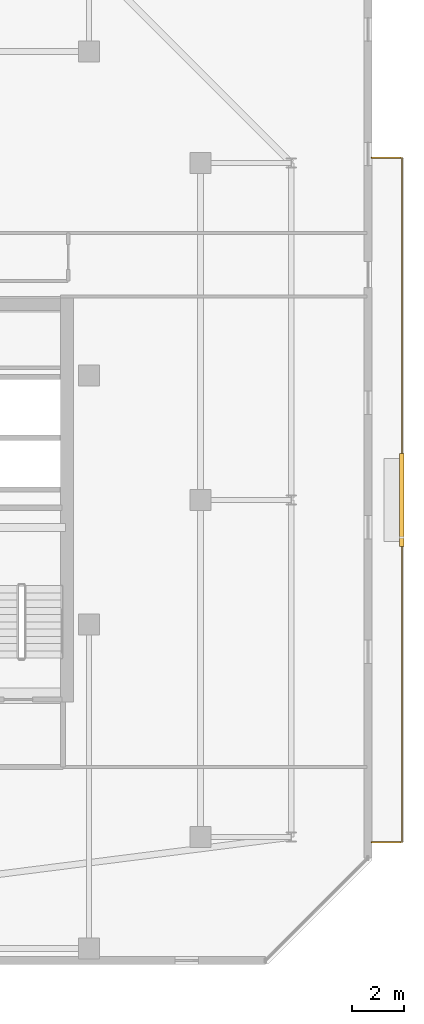
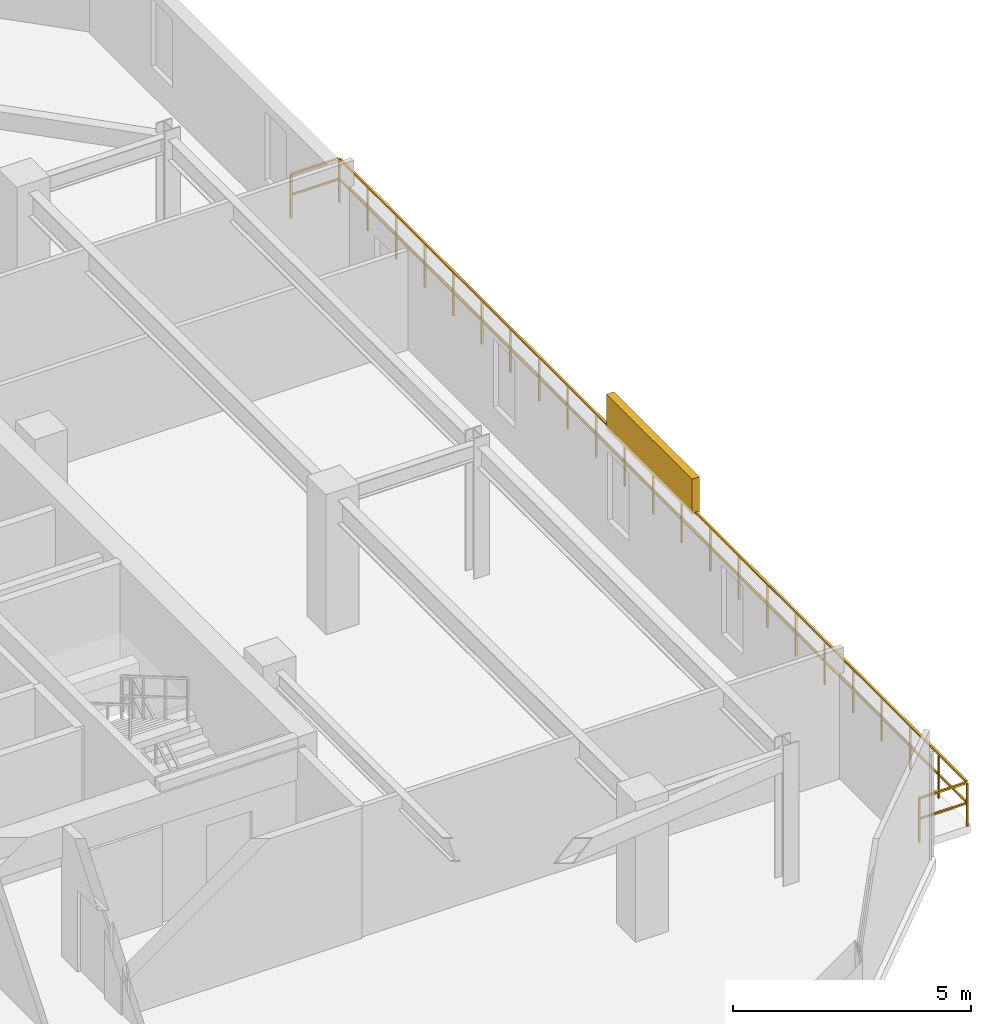
# One storey, part 34 of 34: 1 railing, 1 shading device.
"""IFC4 building model written with IfcOpenShell, lengths in metres."""

from ifc_helpers import new_model, si_unit, direction, frame, origin, origin_2d, place, context, subcontext, project, spatial, rectangle, extrude, material, type_object, element, save


model = new_model("IFC4")

# Units and contexts
model_context = context("Model", 3, precision=1e-05, world=origin(), true_north=direction((0.0, 1.0)))
body_context = subcontext(model_context, "Body", "Model", "MODEL_VIEW")
ifc_project = project(units=[si_unit("LENGTHUNIT", "METRE"), si_unit("AREAUNIT", "SQUARE_METRE"), si_unit("VOLUMEUNIT", "CUBIC_METRE"), si_unit("PLANEANGLEUNIT", "RADIAN"), si_unit("MASSUNIT", "GRAM", prefix="KILO")], contexts=[model_context])

# Site, building, storey
site_placement = place(None, origin())
site = spatial("IfcSite", under=ifc_project, at=site_placement, CompositionType="ELEMENT")
building_placement = place(site_placement, origin())
building = spatial("IfcBuilding", under=site, at=building_placement, Name="Thornwick Lancets Civic Towers", CompositionType="ELEMENT")
storey_placement = place(building_placement, frame((0.0, 0.0, 258.300048828125)))
storey = spatial("IfcBuildingStorey", under=building, at=storey_placement, Name="L69", CompositionType="ELEMENT", Elevation=258.300048828125)

# Railing
ifc_material_1 = material(Name="Terracotta-capped laminated glass balustrade S355", Category="masonry")
railing_type = type_object("IfcRailingType", Name="RAIL_TERR_GUARD", PredefinedType="GUARDRAIL", material=ifc_material_1)
railing_placement = place(storey_placement, frame((112.39990234375, 13.800048828125, 0.0)))
element("IfcRailing", 1, at=railing_placement, inside=storey, type_object=railing_type, Name="L69 Tower B Balcony Guard E", PredefinedType="GUARDRAIL", context=body_context, shape_type="SweptSolid", body=[
    extrude(rectangle(XDim=0.048095703125, YDim=0.048095703125, at=origin_2d()), frame((0.0, 0.0, 1.1259765625), z_axis=(1.0, 0.0, 0.0), x_axis=(0.0, 1.0, 0.0)), (0.0, 0.0, 1.0), 1.138916015625),
    extrude(rectangle(XDim=0.0419921875, YDim=0.0419921875, at=origin_2d()), frame((0.03759765625, 0.0, 0.597900390625), z_axis=(1.0, 0.0, 0.0), x_axis=(0.0, 1.0, 0.0)), (0.0, 0.0, 1.0), 1.09521484375),
    extrude(rectangle(XDim=0.048095703125, YDim=0.048095703125, at=origin_2d()), frame((1.170166015625, 0.03125, 1.1259765625), z_axis=(0.0, 1.0, 0.0), x_axis=(-1.0, 0.0, 0.0)), (0.0, 0.0, 1.0), 26.33740234375),
    extrude(rectangle(XDim=0.0419921875, YDim=0.0419921875, at=origin_2d()), frame((1.170166015625, 0.03759765625, 0.597900390625), z_axis=(0.0, 1.0, 0.0), x_axis=(-1.0, 0.0, 0.0)), (0.0, 0.0, 1.0), 1.125),
    extrude(rectangle(XDim=0.0419921875, YDim=0.0419921875, at=origin_2d()), frame((1.170166015625, 1.237548828125, 0.597900390625), z_axis=(0.0, 1.0, 0.0), x_axis=(-1.0, 0.0, 0.0)), (0.0, 0.0, 1.0), 1.125),
    extrude(rectangle(XDim=0.0419921875, YDim=0.0419921875, at=origin_2d()), frame((1.170166015625, 2.4375, 0.597900390625), z_axis=(0.0, 1.0, 0.0), x_axis=(-1.0, 0.0, 0.0)), (0.0, 0.0, 1.0), 1.125),
    extrude(rectangle(XDim=0.0419921875, YDim=0.0419921875, at=origin_2d()), frame((1.170166015625, 3.637451171875, 0.597900390625), z_axis=(0.0, 1.0, 0.0), x_axis=(-1.0, 0.0, 0.0)), (0.0, 0.0, 1.0), 1.125),
    extrude(rectangle(XDim=0.0419921875, YDim=0.0419921875, at=origin_2d()), frame((1.170166015625, 4.83740234375, 0.597900390625), z_axis=(0.0, 1.0, 0.0), x_axis=(-1.0, 0.0, 0.0)), (0.0, 0.0, 1.0), 1.125),
    extrude(rectangle(XDim=0.0419921875, YDim=0.0419921875, at=origin_2d()), frame((1.170166015625, 6.037353515625, 0.597900390625), z_axis=(0.0, 1.0, 0.0), x_axis=(-1.0, 0.0, 0.0)), (0.0, 0.0, 1.0), 1.125),
    extrude(rectangle(XDim=0.0419921875, YDim=0.0419921875, at=origin_2d()), frame((1.170166015625, 7.237548828125, 0.597900390625), z_axis=(0.0, 1.0, 0.0), x_axis=(-1.0, 0.0, 0.0)), (0.0, 0.0, 1.0), 1.125),
    extrude(rectangle(XDim=0.0419921875, YDim=0.0419921875, at=origin_2d()), frame((1.170166015625, 8.4375, 0.597900390625), z_axis=(0.0, 1.0, 0.0), x_axis=(-1.0, 0.0, 0.0)), (0.0, 0.0, 1.0), 1.125),
    extrude(rectangle(XDim=0.0419921875, YDim=0.0419921875, at=origin_2d()), frame((1.170166015625, 9.637451171875, 0.597900390625), z_axis=(0.0, 1.0, 0.0), x_axis=(-1.0, 0.0, 0.0)), (0.0, 0.0, 1.0), 1.125),
    extrude(rectangle(XDim=0.0419921875, YDim=0.0419921875, at=origin_2d()), frame((1.170166015625, 10.83740234375, 0.597900390625), z_axis=(0.0, 1.0, 0.0), x_axis=(-1.0, 0.0, 0.0)), (0.0, 0.0, 1.0), 1.125),
    extrude(rectangle(XDim=0.0419921875, YDim=0.0419921875, at=origin_2d()), frame((1.170166015625, 12.037353515625, 0.597900390625), z_axis=(0.0, 1.0, 0.0), x_axis=(-1.0, 0.0, 0.0)), (0.0, 0.0, 1.0), 1.125),
    extrude(rectangle(XDim=0.0419921875, YDim=0.0419921875, at=origin_2d()), frame((1.170166015625, 13.237548828125, 0.597900390625), z_axis=(0.0, 1.0, 0.0), x_axis=(-1.0, 0.0, 0.0)), (0.0, 0.0, 1.0), 1.125),
    extrude(rectangle(XDim=0.0419921875, YDim=0.0419921875, at=origin_2d()), frame((1.170166015625, 14.4375, 0.597900390625), z_axis=(0.0, 1.0, 0.0), x_axis=(-1.0, 0.0, 0.0)), (0.0, 0.0, 1.0), 1.125),
    extrude(rectangle(XDim=0.0419921875, YDim=0.0419921875, at=origin_2d()), frame((1.170166015625, 15.637451171875, 0.597900390625), z_axis=(0.0, 1.0, 0.0), x_axis=(-1.0, 0.0, 0.0)), (0.0, 0.0, 1.0), 1.125),
    extrude(rectangle(XDim=0.0419921875, YDim=0.0419921875, at=origin_2d()), frame((1.170166015625, 16.83740234375, 0.597900390625), z_axis=(0.0, 1.0, 0.0), x_axis=(-1.0, 0.0, 0.0)), (0.0, 0.0, 1.0), 1.125),
    extrude(rectangle(XDim=0.0419921875, YDim=0.0419921875, at=origin_2d()), frame((1.170166015625, 18.037353515625, 0.597900390625), z_axis=(0.0, 1.0, 0.0), x_axis=(-1.0, 0.0, 0.0)), (0.0, 0.0, 1.0), 1.125),
    extrude(rectangle(XDim=0.0419921875, YDim=0.0419921875, at=origin_2d()), frame((1.170166015625, 19.2373046875, 0.597900390625), z_axis=(0.0, 1.0, 0.0), x_axis=(-1.0, 0.0, 0.0)), (0.0, 0.0, 1.0), 1.125),
    extrude(rectangle(XDim=0.0419921875, YDim=0.0419921875, at=origin_2d()), frame((1.170166015625, 20.4375, 0.597900390625), z_axis=(0.0, 1.0, 0.0), x_axis=(-1.0, 0.0, 0.0)), (0.0, 0.0, 1.0), 1.125),
    extrude(rectangle(XDim=0.0419921875, YDim=0.0419921875, at=origin_2d()), frame((1.170166015625, 21.637451171875, 0.597900390625), z_axis=(0.0, 1.0, 0.0), x_axis=(-1.0, 0.0, 0.0)), (0.0, 0.0, 1.0), 1.125),
    extrude(rectangle(XDim=0.0419921875, YDim=0.0419921875, at=origin_2d()), frame((1.170166015625, 22.83740234375, 0.597900390625), z_axis=(0.0, 1.0, 0.0), x_axis=(-1.0, 0.0, 0.0)), (0.0, 0.0, 1.0), 1.125),
    extrude(rectangle(XDim=0.0419921875, YDim=0.0419921875, at=origin_2d()), frame((1.170166015625, 24.037353515625, 0.597900390625), z_axis=(0.0, 1.0, 0.0), x_axis=(-1.0, 0.0, 0.0)), (0.0, 0.0, 1.0), 1.125),
    extrude(rectangle(XDim=0.0419921875, YDim=0.0419921875, at=origin_2d()), frame((1.170166015625, 25.2373046875, 0.597900390625), z_axis=(0.0, 1.0, 0.0), x_axis=(-1.0, 0.0, 0.0)), (0.0, 0.0, 1.0), 1.125),
    extrude(rectangle(XDim=0.048095703125, YDim=0.048095703125, at=origin_2d()), frame((1.138916015625, 26.39990234375, 1.1259765625), z_axis=(-1.0, 0.0, 0.0), x_axis=(0.0, -1.0, 0.0)), (0.0, 0.0, 1.0), 1.138916015625),
    extrude(rectangle(XDim=0.0419921875, YDim=0.0419921875, at=origin_2d()), frame((1.132568359375, 26.39990234375, 0.597900390625), z_axis=(-1.0, 0.0, 0.0), x_axis=(0.0, -1.0, 0.0)), (0.0, 0.0, 1.0), 1.09521484375),
    extrude(rectangle(XDim=0.0419921875, YDim=0.0419921875, at=origin_2d()), origin(), (0.0, 0.0, 1.0), 1.095703125),
    extrude(rectangle(XDim=0.0419921875, YDim=0.0419921875, at=origin_2d()), frame((1.170166015625, 0.0, 0.0)), (0.0, 0.0, 1.0), 1.095703125),
    extrude(rectangle(XDim=0.0419921875, YDim=0.0419921875, at=origin_2d()), frame((1.170166015625, 1.199951171875, 0.0)), (0.0, 0.0, 1.0), 1.095703125),
    extrude(rectangle(XDim=0.0419921875, YDim=0.0419921875, at=origin_2d()), frame((1.170166015625, 2.39990234375, 0.0)), (0.0, 0.0, 1.0), 1.095703125),
    extrude(rectangle(XDim=0.0419921875, YDim=0.0419921875, at=origin_2d()), frame((1.170166015625, 3.60009765625, 0.0)), (0.0, 0.0, 1.0), 1.095703125),
    extrude(rectangle(XDim=0.0419921875, YDim=0.0419921875, at=origin_2d()), frame((1.170166015625, 4.800048828125, 0.0)), (0.0, 0.0, 1.0), 1.095703125),
    extrude(rectangle(XDim=0.0419921875, YDim=0.0419921875, at=origin_2d()), frame((1.170166015625, 6.0, 0.0)), (0.0, 0.0, 1.0), 1.095703125),
    extrude(rectangle(XDim=0.0419921875, YDim=0.0419921875, at=origin_2d()), frame((1.170166015625, 7.199951171875, 0.0)), (0.0, 0.0, 1.0), 1.095703125),
    extrude(rectangle(XDim=0.0419921875, YDim=0.0419921875, at=origin_2d()), frame((1.170166015625, 8.39990234375, 0.0)), (0.0, 0.0, 1.0), 1.095703125),
    extrude(rectangle(XDim=0.0419921875, YDim=0.0419921875, at=origin_2d()), frame((1.170166015625, 9.599853515625, 0.0)), (0.0, 0.0, 1.0), 1.095703125),
    extrude(rectangle(XDim=0.0419921875, YDim=0.0419921875, at=origin_2d()), frame((1.170166015625, 10.800048828125, 0.0)), (0.0, 0.0, 1.0), 1.095703125),
    extrude(rectangle(XDim=0.0419921875, YDim=0.0419921875, at=origin_2d()), frame((1.170166015625, 12.0, 0.0)), (0.0, 0.0, 1.0), 1.095703125),
    extrude(rectangle(XDim=0.0419921875, YDim=0.0419921875, at=origin_2d()), frame((1.170166015625, 13.199951171875, 0.0)), (0.0, 0.0, 1.0), 1.095703125),
    extrude(rectangle(XDim=0.0419921875, YDim=0.0419921875, at=origin_2d()), frame((1.170166015625, 14.39990234375, 0.0)), (0.0, 0.0, 1.0), 1.095703125),
    extrude(rectangle(XDim=0.0419921875, YDim=0.0419921875, at=origin_2d()), frame((1.170166015625, 15.599853515625, 0.0)), (0.0, 0.0, 1.0), 1.095703125),
    extrude(rectangle(XDim=0.0419921875, YDim=0.0419921875, at=origin_2d()), frame((1.170166015625, 16.800048828125, 0.0)), (0.0, 0.0, 1.0), 1.095703125),
    extrude(rectangle(XDim=0.0419921875, YDim=0.0419921875, at=origin_2d()), frame((1.170166015625, 18.0, 0.0)), (0.0, 0.0, 1.0), 1.095703125),
    extrude(rectangle(XDim=0.0419921875, YDim=0.0419921875, at=origin_2d()), frame((1.170166015625, 19.199951171875, 0.0)), (0.0, 0.0, 1.0), 1.095703125),
    extrude(rectangle(XDim=0.0419921875, YDim=0.0419921875, at=origin_2d()), frame((1.170166015625, 20.39990234375, 0.0)), (0.0, 0.0, 1.0), 1.095703125),
    extrude(rectangle(XDim=0.0419921875, YDim=0.0419921875, at=origin_2d()), frame((1.170166015625, 21.599853515625, 0.0)), (0.0, 0.0, 1.0), 1.095703125),
    extrude(rectangle(XDim=0.0419921875, YDim=0.0419921875, at=origin_2d()), frame((1.170166015625, 22.7998046875, 0.0)), (0.0, 0.0, 1.0), 1.095703125),
    extrude(rectangle(XDim=0.0419921875, YDim=0.0419921875, at=origin_2d()), frame((1.170166015625, 24.0, 0.0)), (0.0, 0.0, 1.0), 1.095703125),
    extrude(rectangle(XDim=0.0419921875, YDim=0.0419921875, at=origin_2d()), frame((1.170166015625, 25.199951171875, 0.0)), (0.0, 0.0, 1.0), 1.095703125),
    extrude(rectangle(XDim=0.0419921875, YDim=0.0419921875, at=origin_2d()), frame((1.170166015625, 26.39990234375, 0.0)), (0.0, 0.0, 1.0), 1.095703125),
    extrude(rectangle(XDim=0.0419921875, YDim=0.0419921875, at=origin_2d()), frame((0.0, 26.39990234375, 0.0)), (0.0, 0.0, 1.0), 1.095703125),
])

# Shading device
ifc_material_2 = material(Name="Extruded terracotta baguette solar screen", Category="masonry")
shading_device_type = type_object("IfcShadingDeviceType", Name="SHADE_BAGUETTE", PredefinedType="JALOUSIE", material=ifc_material_2)
shading_device_placement = place(storey_placement, frame((113.56005859375, 27.0, 1.1201171875), z_axis=(0.0, 0.0, 1.0), x_axis=(0.0, 1.0, 0.0)))
element("IfcShadingDevice", 2, at=shading_device_placement, inside=storey, type_object=shading_device_type, Name="L69 Tower B Terracotta Baguette Screen E", PredefinedType="JALOUSIE", context=body_context, shape_type="SweptSolid", body=[
    extrude(rectangle(XDim=3.60009765625, YDim=0.179931640625, at=origin_2d()), origin(), (0.0, 0.0, 1.0), 0.89990234375),
])

save(model, "model.ifc")
